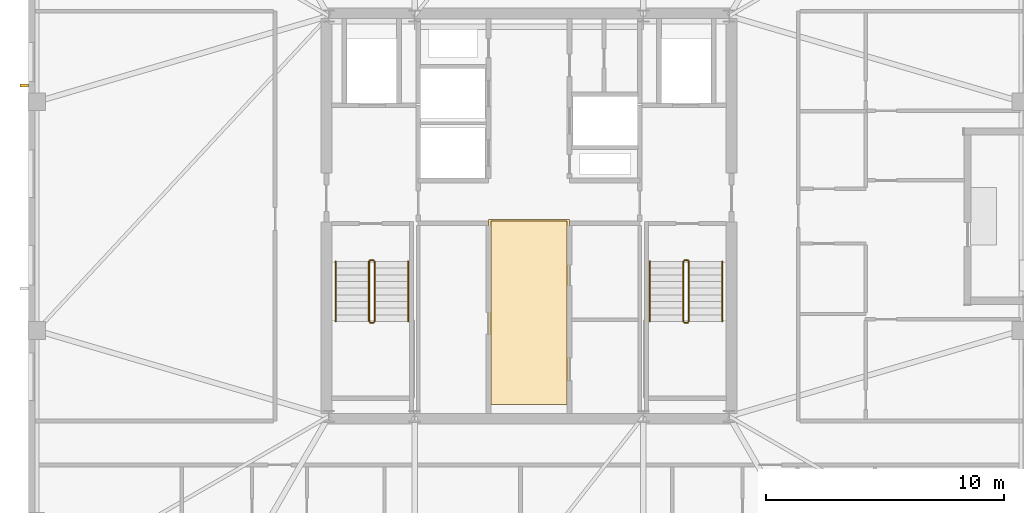
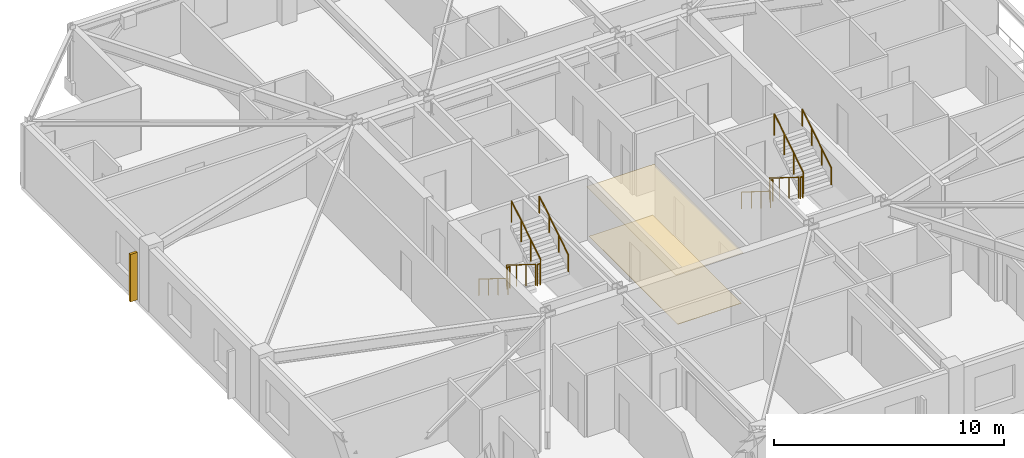
# One storey, part 13 of 15: 12 railings, 2 coverings, 1 shading device.
"""IFC4 building model written with IfcOpenShell, lengths in metres."""

from ifc_helpers import new_model, si_unit, direction, frame, origin, origin_2d, place, context, subcontext, project, spatial, polyline, rectangle, circle, outline, extrude, material, layer, layer_set, type_object, element, save


model = new_model("IFC4")

# Units and contexts
model_context = context("Model", 3, precision=1e-05, world=origin(), true_north=direction((0.0, 1.0)))
body_context = subcontext(model_context, "Body", "Model", "MODEL_VIEW")
ifc_project = project(units=[si_unit("LENGTHUNIT", "METRE"), si_unit("AREAUNIT", "SQUARE_METRE"), si_unit("VOLUMEUNIT", "CUBIC_METRE"), si_unit("PLANEANGLEUNIT", "RADIAN"), si_unit("MASSUNIT", "GRAM", prefix="KILO")], contexts=[model_context])

# Site, building, storey
site_placement = place(None, origin())
site = spatial("IfcSite", under=ifc_project, at=site_placement, CompositionType="ELEMENT")
building_placement = place(site_placement, origin())
building = spatial("IfcBuilding", under=site, at=building_placement, Name="Cairnveth Concourse Tower", CompositionType="ELEMENT")
storey_placement = place(building_placement, frame((0.0, 0.0, 305.0)))
storey = spatial("IfcBuildingStorey", under=building, at=storey_placement, Name="L84", CompositionType="ELEMENT", Elevation=305.0)

# Covering
ifc_material_1 = material(Name="Acoustic Mineral Fibre Ceiling", Category="gypsum")
ifc_layer_1 = layer(ifc_material_1, 0.02490234375)
ifc_layer_set_1 = layer_set([ifc_layer_1], Name="Acoustic Mineral Fibre Ceiling")
covering_type_1 = type_object("IfcCoveringType", Name="ACOUSTIC MINERAL FIBRE CEILING 25", PredefinedType="CEILING", material=ifc_layer_set_1)
covering_1_placement = place(storey_placement, frame((0.0, 0.0, 2.637939453125)))
element("IfcCovering", 1, at=covering_1_placement, inside=storey, type_object=covering_type_1, Name="Lift Lobby Acoustic Ceiling L84", PredefinedType="CEILING", context=body_context, shape_type="SweptSolid", body=[
    extrude(outline(polyline([(50.300048828125, 31.10009765625), (53.699951171875, 31.10009765625), (53.699951171875, 38.85009765625), (50.300048828125, 38.85009765625), (50.300048828125, 31.10009765625)])), origin(), (0.0, 0.0, 1.0), 0.025146484375),
])

# Shading device
ifc_material_2 = material(Name="Architectural Bronze Anodised Aluminium 6063-T6", Category="aluminium")
shading_device_type = type_object("IfcShadingDeviceType", Name="GOTHIC BRONZE VERTICAL LANCET FIN", PredefinedType="USERDEFINED", material=ifc_material_2)
shading_device_placement = place(storey_placement, frame((30.824951171875, 44.4814453125, 0.030029296875), z_axis=(0.0, 0.0, 1.0), x_axis=(0.0, 1.0, 0.0)))
element("IfcShadingDevice", 2, at=shading_device_placement, inside=storey, type_object=shading_device_type, Name="Gothic Bronze Vertical Fin L84-6-5", ObjectType="VERTICAL FIN", PredefinedType="USERDEFINED", context=body_context, shape_type="SweptSolid", body=[
    extrude(rectangle(XDim=0.1201171875, YDim=0.360107421875, at=origin_2d()), origin(), (0.0, 0.0, 1.0), 2.51806640625),
])

# Railings
ifc_material_3 = material(Name="Steel Grade 350", Category="steel")
railing_type_1 = type_object("IfcRailingType", Name="STAIR GUARDRAIL 1150", PredefinedType="GUARDRAIL", material=ifc_material_3)
railing_1_placement = place(storey_placement, frame((45.2900390625, 37.10009765625, 0.175048828125)))
element("IfcRailing", 3, at=railing_1_placement, inside=storey, type_object=railing_type_1, Name="L84 ST-1 stair guard 1", PredefinedType="GUARDRAIL", context=body_context, shape_type="SweptSolid", body=[
    extrude(circle(Radius=0.02392578125, at=origin_2d()), frame((0.0, 0.0, 1.1259765625), z_axis=(0.0, -0.848007534815, 0.529984170421), x_axis=(1.0, 0.0, 0.0)), (0.0, 0.0, 1.0), 2.9716796875),
    extrude(circle(Radius=0.02099609375, at=origin_2d()), origin(), (0.0, 0.0, 1.0), 1.101806640625),
    extrude(circle(Radius=0.02099609375, at=origin_2d()), frame((0.0, -0.840087890625, 0.52490234375)), (0.0, 0.0, 1.0), 1.101806640625),
    extrude(circle(Radius=0.02099609375, at=origin_2d()), frame((0.0, -1.679931640625, 1.050048828125)), (0.0, 0.0, 1.0), 1.101806640625),
    extrude(circle(Radius=0.02099609375, at=origin_2d()), frame((0.0, -2.52001953125, 1.574951171875)), (0.0, 0.0, 1.0), 1.101806640625),
])
railing_2_placement = place(storey_placement, frame((45.340087890625, 34.530029296875, 1.75)))
element("IfcRailing", 4, at=railing_2_placement, inside=storey, type_object=railing_type_1, Name="L84 ST-1 stair guard 2", PredefinedType="GUARDRAIL", context=body_context, shape_type="SweptSolid", body=[
    extrude(circle(Radius=0.02392578125, at=origin_2d()), frame((0.0, 0.0, 1.1259765625), z_axis=(1.0, 0.0, 0.0), x_axis=(0.0, 1.0, 0.0)), (0.0, 0.0, 1.0), 0.139892578125),
    extrude(circle(Radius=0.02099609375, at=origin_2d()), origin(), (0.0, 0.0, 1.0), 1.101806640625),
    extrude(circle(Radius=0.02099609375, at=origin_2d()), frame((0.139892578125, 0.0, 0.0)), (0.0, 0.0, 1.0), 1.101806640625),
])
railing_3_placement = place(storey_placement, frame((45.530029296875, 34.580078125, 1.925048828125)))
element("IfcRailing", 5, at=railing_3_placement, inside=storey, type_object=railing_type_1, Name="L84 ST-1 stair guard 3", PredefinedType="GUARDRAIL", context=body_context, shape_type="SweptSolid", body=[
    extrude(circle(Radius=0.02392578125, at=origin_2d()), frame((0.0, 0.0, 1.1259765625), z_axis=(0.0, 0.848007534815, 0.529984170421), x_axis=(-1.0, 0.0, 0.0)), (0.0, 0.0, 1.0), 2.9716796875),
    extrude(circle(Radius=0.02099609375, at=origin_2d()), origin(), (0.0, 0.0, 1.0), 1.101806640625),
    extrude(circle(Radius=0.02099609375, at=origin_2d()), frame((0.0, 0.840087890625, 0.52490234375)), (0.0, 0.0, 1.0), 1.101806640625),
    extrude(circle(Radius=0.02099609375, at=origin_2d()), frame((0.0, 1.679931640625, 1.050048828125)), (0.0, 0.0, 1.0), 1.101806640625),
    extrude(circle(Radius=0.02099609375, at=origin_2d()), frame((0.0, 2.52001953125, 1.574951171875)), (0.0, 0.0, 1.0), 1.101806640625),
])
railing_4_placement = place(storey_placement, frame((45.340087890625, 37.14990234375, 0.0)))
element("IfcRailing", 6, at=railing_4_placement, inside=storey, type_object=railing_type_1, Name="L84 ST-1 stair guard 4", PredefinedType="GUARDRAIL", context=body_context, shape_type="SweptSolid", body=[
    extrude(circle(Radius=0.02392578125, at=origin_2d()), frame((0.0, 0.0, 1.1259765625), z_axis=(1.0, 0.0, 0.0), x_axis=(0.0, 1.0, 0.0)), (0.0, 0.0, 1.0), 0.139892578125),
    extrude(circle(Radius=0.02099609375, at=origin_2d()), origin(), (0.0, 0.0, 1.0), 1.101806640625),
    extrude(circle(Radius=0.02099609375, at=origin_2d()), frame((0.139892578125, 0.0, 0.0)), (0.0, 0.0, 1.0), 1.101806640625),
])
railing_5_placement = place(storey_placement, frame((58.469970703125, 37.10009765625, 0.175048828125)))
element("IfcRailing", 7, at=railing_5_placement, inside=storey, type_object=railing_type_1, Name="L84 ST-2 stair guard 1", PredefinedType="GUARDRAIL", context=body_context, shape_type="SweptSolid", body=[
    extrude(circle(Radius=0.02392578125, at=origin_2d()), frame((0.0, 0.0, 1.1259765625), z_axis=(0.0, -0.848007534815, 0.529984170421), x_axis=(1.0, 0.0, 0.0)), (0.0, 0.0, 1.0), 2.9716796875),
    extrude(circle(Radius=0.02099609375, at=origin_2d()), origin(), (0.0, 0.0, 1.0), 1.101806640625),
    extrude(circle(Radius=0.02099609375, at=origin_2d()), frame((0.0, -0.840087890625, 0.52490234375)), (0.0, 0.0, 1.0), 1.101806640625),
    extrude(circle(Radius=0.02099609375, at=origin_2d()), frame((0.0, -1.679931640625, 1.050048828125)), (0.0, 0.0, 1.0), 1.101806640625),
    extrude(circle(Radius=0.02099609375, at=origin_2d()), frame((0.0, -2.52001953125, 1.574951171875)), (0.0, 0.0, 1.0), 1.101806640625),
])
railing_6_placement = place(storey_placement, frame((58.52001953125, 34.530029296875, 1.75)))
element("IfcRailing", 8, at=railing_6_placement, inside=storey, type_object=railing_type_1, Name="L84 ST-2 stair guard 2", PredefinedType="GUARDRAIL", context=body_context, shape_type="SweptSolid", body=[
    extrude(circle(Radius=0.02392578125, at=origin_2d()), frame((0.0, 0.0, 1.1259765625), z_axis=(1.0, 0.0, 0.0), x_axis=(0.0, 1.0, 0.0)), (0.0, 0.0, 1.0), 0.139892578125),
    extrude(circle(Radius=0.02099609375, at=origin_2d()), origin(), (0.0, 0.0, 1.0), 1.101806640625),
    extrude(circle(Radius=0.02099609375, at=origin_2d()), frame((0.139892578125, 0.0, 0.0)), (0.0, 0.0, 1.0), 1.101806640625),
])
railing_7_placement = place(storey_placement, frame((58.7099609375, 34.580078125, 1.925048828125)))
element("IfcRailing", 9, at=railing_7_placement, inside=storey, type_object=railing_type_1, Name="L84 ST-2 stair guard 3", PredefinedType="GUARDRAIL", context=body_context, shape_type="SweptSolid", body=[
    extrude(circle(Radius=0.02392578125, at=origin_2d()), frame((0.0, 0.0, 1.1259765625), z_axis=(0.0, 0.848007534815, 0.529984170421), x_axis=(-1.0, 0.0, 0.0)), (0.0, 0.0, 1.0), 2.9716796875),
    extrude(circle(Radius=0.02099609375, at=origin_2d()), origin(), (0.0, 0.0, 1.0), 1.101806640625),
    extrude(circle(Radius=0.02099609375, at=origin_2d()), frame((0.0, 0.840087890625, 0.52490234375)), (0.0, 0.0, 1.0), 1.101806640625),
    extrude(circle(Radius=0.02099609375, at=origin_2d()), frame((0.0, 1.679931640625, 1.050048828125)), (0.0, 0.0, 1.0), 1.101806640625),
    extrude(circle(Radius=0.02099609375, at=origin_2d()), frame((0.0, 2.52001953125, 1.574951171875)), (0.0, 0.0, 1.0), 1.101806640625),
])
railing_8_placement = place(storey_placement, frame((58.52001953125, 37.14990234375, 0.0)))
element("IfcRailing", 10, at=railing_8_placement, inside=storey, type_object=railing_type_1, Name="L84 ST-2 stair guard 4", PredefinedType="GUARDRAIL", context=body_context, shape_type="SweptSolid", body=[
    extrude(circle(Radius=0.02392578125, at=origin_2d()), frame((0.0, 0.0, 1.1259765625), z_axis=(1.0, 0.0, 0.0), x_axis=(0.0, 1.0, 0.0)), (0.0, 0.0, 1.0), 0.139892578125),
    extrude(circle(Radius=0.02099609375, at=origin_2d()), origin(), (0.0, 0.0, 1.0), 1.101806640625),
    extrude(circle(Radius=0.02099609375, at=origin_2d()), frame((0.139892578125, 0.0, 0.0)), (0.0, 0.0, 1.0), 1.101806640625),
])
railing_type_2 = type_object("IfcRailingType", Name="STAIR WALL HANDRAIL 900", PredefinedType="HANDRAIL", material=ifc_material_3)
railing_9_placement = place(storey_placement, frame((43.889892578125, 37.10009765625, 0.175048828125)))
element("IfcRailing", 11, at=railing_9_placement, inside=storey, type_object=railing_type_2, Name="L84 ST-1 stair handrail 1", PredefinedType="HANDRAIL", context=body_context, shape_type="SweptSolid", body=[
    extrude(circle(Radius=0.02392578125, at=origin_2d()), frame((0.0, 0.0, 0.8759765625), z_axis=(0.0, -0.848007534815, 0.529984170421), x_axis=(1.0, 0.0, 0.0)), (0.0, 0.0, 1.0), 2.9716796875),
    extrude(circle(Radius=0.02099609375, at=origin_2d()), origin(), (0.0, 0.0, 1.0), 0.851806640625),
    extrude(circle(Radius=0.02099609375, at=origin_2d()), frame((0.0, -0.840087890625, 0.52490234375)), (0.0, 0.0, 1.0), 0.851806640625),
    extrude(circle(Radius=0.02099609375, at=origin_2d()), frame((0.0, -1.679931640625, 1.050048828125)), (0.0, 0.0, 1.0), 0.851806640625),
    extrude(circle(Radius=0.02099609375, at=origin_2d()), frame((0.0, -2.52001953125, 1.574951171875)), (0.0, 0.0, 1.0), 0.851806640625),
])
railing_10_placement = place(storey_placement, frame((46.929931640625, 34.580078125, 1.925048828125)))
element("IfcRailing", 12, at=railing_10_placement, inside=storey, type_object=railing_type_2, Name="L84 ST-1 stair handrail 2", PredefinedType="HANDRAIL", context=body_context, shape_type="SweptSolid", body=[
    extrude(circle(Radius=0.02392578125, at=origin_2d()), frame((0.0, 0.0, 0.8759765625), z_axis=(0.0, 0.848007534815, 0.529984170421), x_axis=(-1.0, 0.0, 0.0)), (0.0, 0.0, 1.0), 2.9716796875),
    extrude(circle(Radius=0.02099609375, at=origin_2d()), origin(), (0.0, 0.0, 1.0), 0.851806640625),
    extrude(circle(Radius=0.02099609375, at=origin_2d()), frame((0.0, 0.840087890625, 0.52490234375)), (0.0, 0.0, 1.0), 0.851806640625),
    extrude(circle(Radius=0.02099609375, at=origin_2d()), frame((0.0, 1.679931640625, 1.050048828125)), (0.0, 0.0, 1.0), 0.851806640625),
    extrude(circle(Radius=0.02099609375, at=origin_2d()), frame((0.0, 2.52001953125, 1.574951171875)), (0.0, 0.0, 1.0), 0.851806640625),
])
railing_11_placement = place(storey_placement, frame((57.070068359375, 37.10009765625, 0.175048828125)))
element("IfcRailing", 13, at=railing_11_placement, inside=storey, type_object=railing_type_2, Name="L84 ST-2 stair handrail 1", PredefinedType="HANDRAIL", context=body_context, shape_type="SweptSolid", body=[
    extrude(circle(Radius=0.02392578125, at=origin_2d()), frame((0.0, 0.0, 0.8759765625), z_axis=(0.0, -0.848007534815, 0.529984170421), x_axis=(1.0, 0.0, 0.0)), (0.0, 0.0, 1.0), 2.9716796875),
    extrude(circle(Radius=0.02099609375, at=origin_2d()), origin(), (0.0, 0.0, 1.0), 0.851806640625),
    extrude(circle(Radius=0.02099609375, at=origin_2d()), frame((0.0, -0.840087890625, 0.52490234375)), (0.0, 0.0, 1.0), 0.851806640625),
    extrude(circle(Radius=0.02099609375, at=origin_2d()), frame((0.0, -1.679931640625, 1.050048828125)), (0.0, 0.0, 1.0), 0.851806640625),
    extrude(circle(Radius=0.02099609375, at=origin_2d()), frame((0.0, -2.52001953125, 1.574951171875)), (0.0, 0.0, 1.0), 0.851806640625),
])
railing_12_placement = place(storey_placement, frame((60.110107421875, 34.580078125, 1.925048828125)))
element("IfcRailing", 14, at=railing_12_placement, inside=storey, type_object=railing_type_2, Name="L84 ST-2 stair handrail 2", PredefinedType="HANDRAIL", context=body_context, shape_type="SweptSolid", body=[
    extrude(circle(Radius=0.02392578125, at=origin_2d()), frame((0.0, 0.0, 0.8759765625), z_axis=(0.0, 0.848007534815, 0.529984170421), x_axis=(-1.0, 0.0, 0.0)), (0.0, 0.0, 1.0), 2.9716796875),
    extrude(circle(Radius=0.02099609375, at=origin_2d()), origin(), (0.0, 0.0, 1.0), 0.851806640625),
    extrude(circle(Radius=0.02099609375, at=origin_2d()), frame((0.0, 0.840087890625, 0.52490234375)), (0.0, 0.0, 1.0), 0.851806640625),
    extrude(circle(Radius=0.02099609375, at=origin_2d()), frame((0.0, 1.679931640625, 1.050048828125)), (0.0, 0.0, 1.0), 0.851806640625),
    extrude(circle(Radius=0.02099609375, at=origin_2d()), frame((0.0, 2.52001953125, 1.574951171875)), (0.0, 0.0, 1.0), 0.851806640625),
])

# Covering
ifc_material_4 = material(Name="Vitrified Stoneware Tile Flooring", Category="masonry")
ifc_layer_2 = layer(ifc_material_4, 0.02001953125)
ifc_layer_set_2 = layer_set([ifc_layer_2], Name="Vitrified Stoneware Tile Flooring")
covering_type_2 = type_object("IfcCoveringType", Name="VITRIFIED STONEWARE LOBBY FLOORING 20", PredefinedType="FLOORING", material=ifc_layer_set_2)
covering_2_placement = place(storey_placement, origin())
element("IfcCovering", 15, at=covering_2_placement, inside=storey, type_object=covering_type_2, Name="Lift Lobby Stoneware Flooring L84", PredefinedType="FLOORING", context=body_context, shape_type="SweptSolid", body=[
    extrude(outline(polyline([(50.39990234375, 31.10009765625), (53.60009765625, 31.10009765625), (53.60009765625, 38.800048828125), (50.39990234375, 38.800048828125), (50.39990234375, 31.10009765625)])), origin(), (0.0, 0.0, 1.0), 0.02001953125),
])

save(model, "model.ifc")
